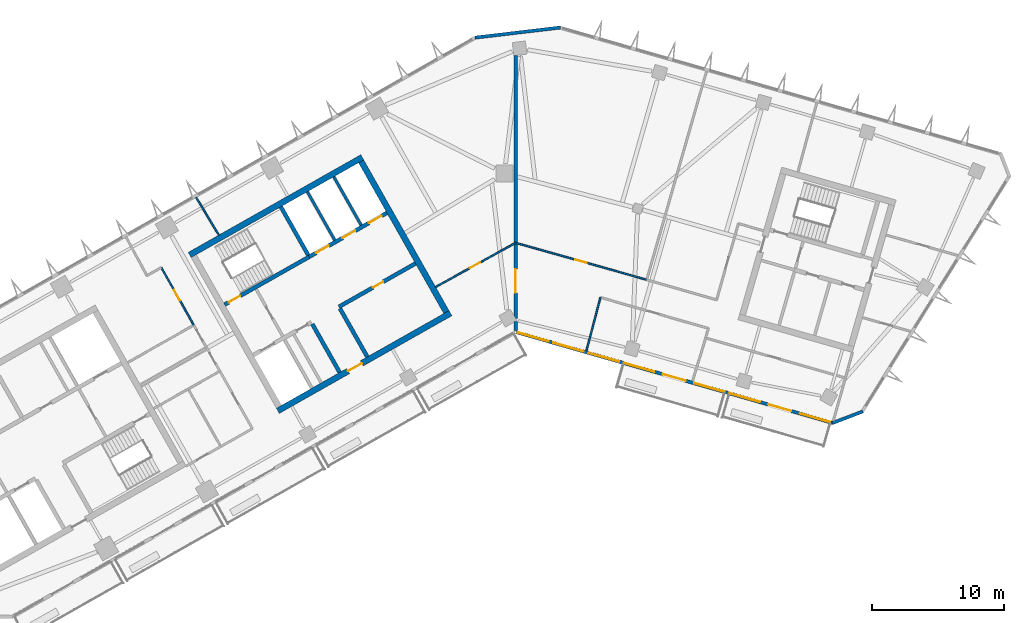
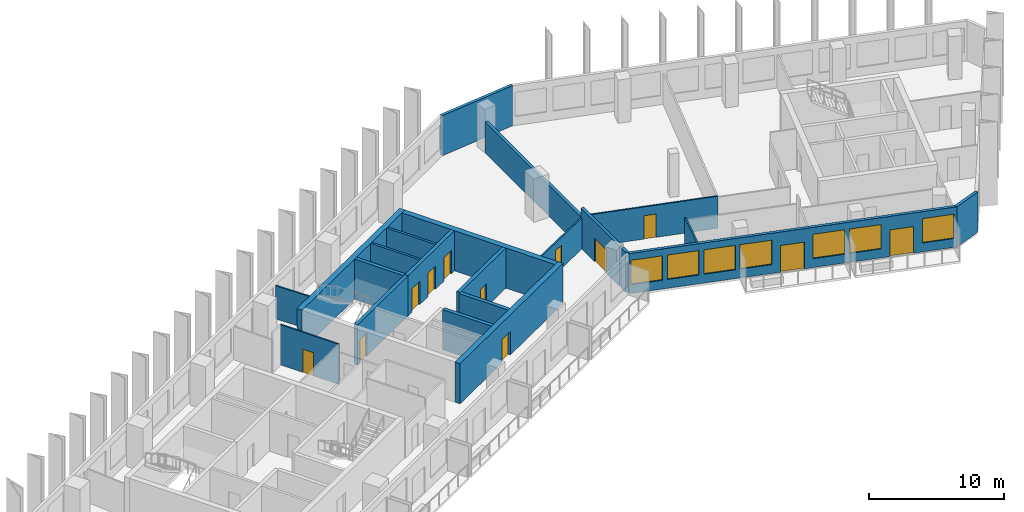
# One storey, part 6 of 11: 22 walls, 12 doors, 7 windows, 19 openings.
"""IFC4 building model written with IfcOpenShell, lengths in metres."""

from ifc_helpers import new_model, si_unit, direction, frame, frame_2d, origin, place, context, subcontext, project, spatial, rectangle, extrude, material, layer, layer_set, type_object, element, fill, save


model = new_model("IFC4")

# Units and contexts
model_context = context("Model", 3, precision=1e-05, world=origin(), true_north=direction((0.0, 1.0)))
body_context = subcontext(model_context, "Body", "Model", "MODEL_VIEW")
ifc_project = project(units=[si_unit("LENGTHUNIT", "METRE"), si_unit("AREAUNIT", "SQUARE_METRE"), si_unit("VOLUMEUNIT", "CUBIC_METRE"), si_unit("PLANEANGLEUNIT", "RADIAN"), si_unit("MASSUNIT", "GRAM", prefix="KILO")], contexts=[model_context])

# Site, building, storey
site_placement = place(None, origin())
site = spatial("IfcSite", under=ifc_project, at=site_placement, CompositionType="ELEMENT")
building_placement = place(site_placement, origin())
building = spatial("IfcBuilding", under=site, at=building_placement, Name="Binnacle Exchange Tower", CompositionType="ELEMENT")
storey_placement = place(building_placement, frame((0.0, 0.0, 207.5)))
storey = spatial("IfcBuildingStorey", under=building, at=storey_placement, Name="L45", CompositionType="ELEMENT", Elevation=207.5)

# Wall, opening, door
ifc_material_1 = material(Name="Concrete C70/85", Category="concrete")
ifc_layer_1 = layer(ifc_material_1, 0.300048828125)
ifc_layer_set_1 = layer_set([ifc_layer_1], Name="Core wall - front 300")
wall_type_1 = type_object("IfcWallType", Name="Core wall - front 300", PredefinedType="SOLIDWALL", material=ifc_layer_set_1)
wall_1_placement = place(storey_placement, frame((-13.364501953125, 49.910888671875, 0.0), z_axis=(0.0, 0.0, 1.0), x_axis=(0.870352159619, 0.492429810477, 0.0)))
wall_1 = element("IfcWall", 1, at=wall_1_placement, inside=storey, type_object=wall_type_1, Name="Core wall CRWC3", PredefinedType="SOLIDWALL", context=body_context, shape_type="SweptSolid", body=[
    extrude(rectangle(XDim=6.64990234375, YDim=0.300048828125, at=frame_2d((3.324951171875, 0.0))), origin(), (0.0, 0.0, 1.0), 3.6201171875),
])
opening_1_placement = place(wall_1_placement, frame((2.949951171875, 0.0, 0.0)))
opening_1 = element("IfcOpeningElement", 2, at=opening_1_placement, cuts=wall_1, Name="Opening DC18", PredefinedType="OPENING", context=body_context, shape_type="SweptSolid", body=[
    extrude(rectangle(XDim=0.89990234375, YDim=2.10009765625, at=frame_2d((0.449951171875, 1.050048828125))), frame((0.0, 0.159912109375, 0.0), z_axis=(0.0, -1.0, 0.0), x_axis=(1.0, 0.0, 0.0)), (0.0, 0.0, 1.0), 0.320068359375),
])
ifc_material_2 = material(Name="Steel door leaf", Category="steel")
door_type_1 = type_object("IfcDoorType", Name="Fire door 900", OperationType="NOTDEFINED", PredefinedType="DOOR", material=ifc_material_2)
door_1_placement = place(opening_1_placement, frame((0.89990234375, 0.0, 0.0), z_axis=(0.0, 0.0, 1.0), x_axis=(-1.0, 0.0, 0.0)))
door_1 = element("IfcDoor", 3, at=door_1_placement, inside=storey, type_object=door_type_1, Name="Core room door WORKSHOP STORE", OperationType="SINGLE_SWING_LEFT", OverallHeight=2.10009765625, OverallWidth=0.89990234375, PredefinedType="DOOR", context=body_context, shape_type="SweptSolid", body=[
    extrude(rectangle(XDim=0.89990234375, YDim=2.10009765625, at=frame_2d((0.449951171875, 1.050048828125))), frame((0.0, 0.02490234375, 0.0), z_axis=(0.0, -1.0, 0.0), x_axis=(1.0, 0.0, 0.0)), (0.0, 0.0, 1.0), 0.050048828125),
])
fill(opening_1, door_1)

# Wall, openings, doors
wall_2_placement = place(storey_placement, frame((-15.6181640625, 53.69140625, 0.0), z_axis=(0.0, 0.0, 1.0), x_axis=(0.870358646884, 0.492418344291, 0.0)))
wall_2 = element("IfcWall", 4, at=wall_2_placement, inside=storey, type_object=wall_type_1, Name="Core wall CRWC5", PredefinedType="SOLIDWALL", context=body_context, shape_type="SweptSolid", body=[
    extrude(rectangle(XDim=6.749755859375, YDim=0.300048828125, at=frame_2d((3.375, 0.0))), origin(), (0.0, 0.0, 1.0), 3.6201171875),
])
opening_2_placement = place(wall_2_placement, frame((0.60009765625, 0.0, 0.0)))
opening_2 = element("IfcOpeningElement", 5, at=opening_2_placement, cuts=wall_2, Name="Opening LD5", PredefinedType="OPENING", context=body_context, shape_type="SweptSolid", body=[
    extrude(rectangle(XDim=1.10009765625, YDim=2.10009765625, at=frame_2d((0.550048828125, 1.050048828125))), frame((0.0, 0.159912109375, 0.0), z_axis=(0.0, -1.0, 0.0), x_axis=(1.0, 0.0, 0.0)), (0.0, 0.0, 1.0), 0.320068359375),
])
opening_3_placement = place(wall_2_placement, frame((2.89990234375, 0.0, 0.0)))
opening_3 = element("IfcOpeningElement", 6, at=opening_3_placement, cuts=wall_2, Name="Opening LD6", PredefinedType="OPENING", context=body_context, shape_type="SweptSolid", body=[
    extrude(rectangle(XDim=1.10009765625, YDim=2.10009765625, at=frame_2d((0.550048828125, 1.050048828125))), frame((0.0, 0.159912109375, 0.0), z_axis=(0.0, -1.0, 0.0), x_axis=(1.0, 0.0, 0.0)), (0.0, 0.0, 1.0), 0.320068359375),
])
opening_4_placement = place(wall_2_placement, frame((5.199951171875, 0.0, 0.0)))
opening_4 = element("IfcOpeningElement", 7, at=opening_4_placement, cuts=wall_2, Name="Opening LD7", PredefinedType="OPENING", context=body_context, shape_type="SweptSolid", body=[
    extrude(rectangle(XDim=1.10009765625, YDim=2.10009765625, at=frame_2d((0.550048828125, 1.050048828125))), frame((0.0, 0.159912109375, 0.0), z_axis=(0.0, -1.0, 0.0), x_axis=(1.0, 0.0, 0.0)), (0.0, 0.0, 1.0), 0.320068359375),
])
door_type_2 = type_object("IfcDoorType", Name="Fire door - lift landing 1100", OperationType="NOTDEFINED", PredefinedType="DOOR", material=ifc_material_2)
door_2_placement = place(opening_2_placement, origin())
door_2 = element("IfcDoor", 8, at=door_2_placement, inside=storey, type_object=door_type_2, Name="Landing door LD5 L45", OperationType="DOUBLE_DOOR_SLIDING", OverallHeight=2.10009765625, OverallWidth=1.10009765625, PredefinedType="DOOR", context=body_context, shape_type="SweptSolid", body=[
    extrude(rectangle(XDim=1.10009765625, YDim=2.10009765625, at=frame_2d((0.550048828125, 1.050048828125))), frame((0.0, 0.02490234375, 0.0), z_axis=(0.0, -1.0, 0.0), x_axis=(1.0, 0.0, 0.0)), (0.0, 0.0, 1.0), 0.050048828125),
])
fill(opening_2, door_2)
door_3_placement = place(opening_3_placement, origin())
door_3 = element("IfcDoor", 9, at=door_3_placement, inside=storey, type_object=door_type_2, Name="Landing door LD6 L45", OperationType="DOUBLE_DOOR_SLIDING", OverallHeight=2.10009765625, OverallWidth=1.10009765625, PredefinedType="DOOR", context=body_context, shape_type="SweptSolid", body=[
    extrude(rectangle(XDim=1.10009765625, YDim=2.10009765625, at=frame_2d((0.550048828125, 1.050048828125))), frame((0.0, 0.02490234375, 0.0), z_axis=(0.0, -1.0, 0.0), x_axis=(1.0, 0.0, 0.0)), (0.0, 0.0, 1.0), 0.050048828125),
])
fill(opening_3, door_3)
door_4_placement = place(opening_4_placement, origin())
door_4 = element("IfcDoor", 10, at=door_4_placement, inside=storey, type_object=door_type_2, Name="Landing door LD7 L45", OperationType="DOUBLE_DOOR_SLIDING", OverallHeight=2.10009765625, OverallWidth=1.10009765625, PredefinedType="DOOR", context=body_context, shape_type="SweptSolid", body=[
    extrude(rectangle(XDim=1.10009765625, YDim=2.10009765625, at=frame_2d((0.550048828125, 1.050048828125))), frame((0.0, 0.02490234375, 0.0), z_axis=(0.0, -1.0, 0.0), x_axis=(1.0, 0.0, 0.0)), (0.0, 0.0, 1.0), 0.050048828125),
])
fill(opening_4, door_4)

# Walls
for number, where, z_axis, x_axis, name in (
    (11, (-15.37939453125, 48.5986328125, 0.0), (0.0, 0.0, 1.0), (0.492409653846, -0.870363563575, 0.0), "Core wall CRWC13"),
    (12, (-13.29052734375, 49.780517578125, 0.0), (0.0, 0.0, 1.0), (0.492409653846, -0.870363563575, 0.0), "Core wall CRWC15"),
):
    element("IfcWall", number, at=place(storey_placement, frame(where, z_axis=z_axis, x_axis=x_axis)), inside=storey, type_object=wall_type_1, Name=name, PredefinedType="SOLIDWALL", context=body_context, shape_type="SweptSolid", body=[
        extrude(rectangle(XDim=4.199951171875, YDim=0.300048828125, at=frame_2d((2.10009765625, 0.0))), origin(), (0.0, 0.0, 1.0), 3.6201171875),
    ])

# Wall, opening, door
ifc_layer_2 = layer(ifc_material_1, 0.449951171875)
ifc_layer_set_2 = layer_set([ifc_layer_2], Name="Core wall - outer 450")
wall_type_2 = type_object("IfcWallType", Name="Core wall - outer 450", PredefinedType="SOLIDWALL", material=ifc_layer_set_2)
wall_3_placement = place(storey_placement, frame((-17.987548828125, 42.0390625, 0.0), z_axis=(0.0, 0.0, 1.0), x_axis=(0.870360574057, 0.492414937962, 0.0)))
wall_3 = element("IfcWall", 13, at=wall_3_placement, inside=storey, type_object=wall_type_2, Name="Core wall CRWC1", PredefinedType="SOLIDWALL", context=body_context, shape_type="SweptSolid", body=[
    extrude(rectangle(XDim=15.0, YDim=0.449951171875, at=frame_2d((7.5, 0.0))), origin(), (0.0, 0.0, 1.0), 3.6201171875),
])
opening_5_placement = place(wall_3_placement, frame((6.10009765625, 0.0, 0.0)))
opening_5 = element("IfcOpeningElement", 14, at=opening_5_placement, cuts=wall_3, Name="Opening DC7", PredefinedType="OPENING", context=body_context, shape_type="SweptSolid", body=[
    extrude(rectangle(XDim=1.199951171875, YDim=2.10009765625, at=frame_2d((0.60009765625, 1.050048828125))), frame((0.0, 0.23486328125, 0.0), z_axis=(0.0, -1.0, 0.0), x_axis=(1.0, 0.0, 0.0)), (0.0, 0.0, 1.0), 0.469970703125),
])
door_type_3 = type_object("IfcDoorType", Name="Fire door 1200", OperationType="NOTDEFINED", PredefinedType="DOOR", material=ifc_material_2)
door_5_placement = place(opening_5_placement, frame((1.199951171875, 0.0, 0.0), z_axis=(0.0, 0.0, 1.0), x_axis=(-1.0, 0.0, 0.0)))
door_5 = element("IfcDoor", 15, at=door_5_placement, inside=storey, type_object=door_type_3, Name="Lift lobby entrance door core C", OperationType="SINGLE_SWING_RIGHT", OverallHeight=2.10009765625, OverallWidth=1.199951171875, PredefinedType="DOOR", context=body_context, shape_type="SweptSolid", body=[
    extrude(rectangle(XDim=1.199951171875, YDim=2.10009765625, at=frame_2d((0.60009765625, 1.050048828125))), frame((0.0, 0.02490234375, 0.0), z_axis=(0.0, -1.0, 0.0), x_axis=(1.0, 0.0, 0.0)), (0.0, 0.0, 1.0), 0.050048828125),
])
fill(opening_5, door_5)

# Walls
wall_4_placement = place(storey_placement, frame((-24.659912109375, 53.832275390625, 0.0), z_axis=(0.0, 0.0, 1.0), x_axis=(0.870353598469, 0.492427267353, 0.0)))
element("IfcWall", 16, at=wall_4_placement, inside=storey, type_object=wall_type_2, Name="Core wall CRWC6", PredefinedType="SOLIDWALL", context=body_context, shape_type="SweptSolid", body=[
    extrude(rectangle(XDim=15.000244140625, YDim=0.449951171875, at=frame_2d((7.5, 0.0))), origin(), (0.0, 0.0, 1.0), 3.6201171875),
])
wall_5_placement = place(storey_placement, frame((-11.689453125, 60.912109375, 0.0), z_axis=(0.0, 0.0, 1.0), x_axis=(0.492421378713, -0.870356930107, 0.0)))
element("IfcWall", 17, at=wall_5_placement, inside=storey, type_object=wall_type_2, Name="Core wall CRWC24", PredefinedType="SOLIDWALL", context=body_context, shape_type="SweptSolid", body=[
    extrude(rectangle(XDim=13.099853515625, YDim=0.449951171875, at=frame_2d((6.5498046875, 0.0))), origin(), (0.0, 0.0, 1.0), 3.6201171875),
])

# Wall, opening, door
ifc_layer_3 = layer(ifc_material_1, 0.300048828125)
ifc_layer_set_3 = layer_set([ifc_layer_3], Name="Core wall - stair 300")
wall_type_3 = type_object("IfcWallType", Name="Core wall - stair 300", PredefinedType="SOLIDWALL", material=ifc_layer_set_3)
wall_6_placement = place(storey_placement, frame((-22.015380859375, 50.072021484375, 0.0), z_axis=(0.0, 0.0, 1.0), x_axis=(0.870354900257, 0.492424966466, 0.0)))
wall_6 = element("IfcWall", 18, at=wall_6_placement, inside=storey, type_object=wall_type_3, Name="Core wall CRWC4", PredefinedType="SOLIDWALL", context=body_context, shape_type="SweptSolid", body=[
    extrude(rectangle(XDim=7.35009765625, YDim=0.300048828125, at=frame_2d((3.675048828125, 0.0))), origin(), (0.0, 0.0, 1.0), 3.6201171875),
])
opening_6_placement = place(wall_6_placement, frame((0.35009765625, 0.0, 0.0)))
opening_6 = element("IfcOpeningElement", 19, at=opening_6_placement, cuts=wall_6, Name="Opening DC1", PredefinedType="OPENING", context=body_context, shape_type="SweptSolid", body=[
    extrude(rectangle(XDim=1.0, YDim=2.10009765625, at=frame_2d((0.5, 1.050048828125))), frame((0.0, 0.159912109375, 0.0), z_axis=(0.0, -1.0, 0.0), x_axis=(1.0, 0.0, 0.0)), (0.0, 0.0, 1.0), 0.320068359375),
])
door_type_4 = type_object("IfcDoorType", Name="Fire door 1000", OperationType="NOTDEFINED", PredefinedType="DOOR", material=ifc_material_2)
door_6_placement = place(opening_6_placement, origin())
door_6 = element("IfcDoor", 20, at=door_6_placement, inside=storey, type_object=door_type_4, Name="Stair door ST-C1", OperationType="SINGLE_SWING_LEFT", OverallHeight=2.10009765625, OverallWidth=1.0, PredefinedType="DOOR", context=body_context, shape_type="SweptSolid", body=[
    extrude(rectangle(XDim=1.0, YDim=2.10009765625, at=frame_2d((0.5, 1.050048828125))), frame((0.0, 0.02490234375, 0.0), z_axis=(0.0, -1.0, 0.0), x_axis=(1.0, 0.0, 0.0)), (0.0, 0.0, 1.0), 0.050048828125),
])
fill(opening_6, door_6)

# Wall
wall_7_placement = place(storey_placement, frame((-17.76025390625, 57.477294921875, 0.0), z_axis=(0.0, 0.0, 1.0), x_axis=(0.49243456751, -0.870349468157, 0.0)))
element("IfcWall", 21, at=wall_7_placement, inside=storey, type_object=wall_type_3, Name="Core wall CRWC14", PredefinedType="SOLIDWALL", context=body_context, shape_type="SweptSolid", body=[
    extrude(rectangle(XDim=4.19970703125, YDim=0.300048828125, at=frame_2d((2.099853515625, 0.0))), origin(), (0.0, 0.0, 1.0), 3.6201171875),
])

# Wall, openings, doors, windows
ifc_material_3 = material(Name="Bronze aluminium cladding", Category="aluminium")
ifc_layer_4 = layer(ifc_material_3, 0.25)
ifc_layer_set_4 = layer_set([ifc_layer_4], Name="External wall - window wall 250")
wall_type_4 = type_object("IfcWallType", Name="External wall - window wall 250", PredefinedType="STANDARD", material=ifc_layer_set_4)
wall_8_placement = place(storey_placement, frame((24.034423828125, 41.108154296875, 0.0), z_axis=(0.0, 0.0, 1.0), x_axis=(-0.96126060691, 0.275641153683, 0.0)))
wall_8 = element("IfcWall", 22, at=wall_8_placement, inside=storey, type_object=wall_type_4, Name="External wall EW-G02 L45", PredefinedType="STANDARD", context=body_context, shape_type="SweptSolid", body=[
    extrude(rectangle(XDim=24.95068359375, YDim=0.25, at=frame_2d((12.475341796875, 0.0))), origin(), (0.0, 0.0, 1.0), 3.6201171875),
])
opening_7_placement = place(wall_8_placement, frame((22.416259765625, 0.0, 0.800048828125)))
opening_7 = element("IfcOpeningElement", 23, at=opening_7_placement, cuts=wall_8, Name="Opening WR1", PredefinedType="OPENING", context=body_context, shape_type="SweptSolid", body=[
    extrude(rectangle(XDim=2.39990234375, YDim=2.199951171875, at=frame_2d((1.199951171875, 1.10009765625))), frame((0.0, 0.135009765625, 0.0), z_axis=(0.0, -1.0, 0.0), x_axis=(1.0, 0.0, 0.0)), (0.0, 0.0, 1.0), 0.27001953125),
])
opening_8_placement = place(wall_8_placement, frame((19.642822265625, 0.0, 0.800048828125)))
opening_8 = element("IfcOpeningElement", 24, at=opening_8_placement, cuts=wall_8, Name="Opening WR1", PredefinedType="OPENING", context=body_context, shape_type="SweptSolid", body=[
    extrude(rectangle(XDim=2.39990234375, YDim=2.199951171875, at=frame_2d((1.199951171875, 1.10009765625))), frame((0.0, 0.135009765625, 0.0), z_axis=(0.0, -1.0, 0.0), x_axis=(1.0, 0.0, 0.0)), (0.0, 0.0, 1.0), 0.27001953125),
])
opening_9_placement = place(wall_8_placement, frame((16.869384765625, 0.0, 0.800048828125)))
opening_9 = element("IfcOpeningElement", 25, at=opening_9_placement, cuts=wall_8, Name="Opening WR1", PredefinedType="OPENING", context=body_context, shape_type="SweptSolid", body=[
    extrude(rectangle(XDim=2.39990234375, YDim=2.199951171875, at=frame_2d((1.199951171875, 1.10009765625))), frame((0.0, 0.135009765625, 0.0), z_axis=(0.0, -1.0, 0.0), x_axis=(1.0, 0.0, 0.0)), (0.0, 0.0, 1.0), 0.27001953125),
])
opening_10_placement = place(wall_8_placement, frame((14.095947265625, 0.0, 0.800048828125)))
opening_10 = element("IfcOpeningElement", 26, at=opening_10_placement, cuts=wall_8, Name="Opening WR1", PredefinedType="OPENING", context=body_context, shape_type="SweptSolid", body=[
    extrude(rectangle(XDim=2.39990234375, YDim=2.199951171875, at=frame_2d((1.199951171875, 1.10009765625))), frame((0.0, 0.135009765625, 0.0), z_axis=(0.0, -1.0, 0.0), x_axis=(1.0, 0.0, 0.0)), (0.0, 0.0, 1.0), 0.27001953125),
])
opening_11_placement = place(wall_8_placement, frame((11.622314453125, 0.0, 0.0)))
opening_11 = element("IfcOpeningElement", 27, at=opening_11_placement, cuts=wall_8, Name="Opening D-FS13-06", PredefinedType="OPENING", context=body_context, shape_type="SweptSolid", body=[
    extrude(rectangle(XDim=1.800048828125, YDim=2.39990234375, at=frame_2d((0.89990234375, 1.199951171875))), frame((0.0, 0.135009765625, 0.0), z_axis=(0.0, -1.0, 0.0), x_axis=(1.0, 0.0, 0.0)), (0.0, 0.0, 1.0), 0.27001953125),
])
opening_12_placement = place(wall_8_placement, frame((8.548828125, 0.0, 0.800048828125)))
opening_12 = element("IfcOpeningElement", 28, at=opening_12_placement, cuts=wall_8, Name="Opening WR1", PredefinedType="OPENING", context=body_context, shape_type="SweptSolid", body=[
    extrude(rectangle(XDim=2.39990234375, YDim=2.199951171875, at=frame_2d((1.199951171875, 1.10009765625))), frame((0.0, 0.135009765625, 0.0), z_axis=(0.0, -1.0, 0.0), x_axis=(1.0, 0.0, 0.0)), (0.0, 0.0, 1.0), 0.27001953125),
])
opening_13_placement = place(wall_8_placement, frame((5.775390625, 0.0, 0.800048828125)))
opening_13 = element("IfcOpeningElement", 29, at=opening_13_placement, cuts=wall_8, Name="Opening WR1", PredefinedType="OPENING", context=body_context, shape_type="SweptSolid", body=[
    extrude(rectangle(XDim=2.39990234375, YDim=2.199951171875, at=frame_2d((1.199951171875, 1.10009765625))), frame((0.0, 0.135009765625, 0.0), z_axis=(0.0, -1.0, 0.0), x_axis=(1.0, 0.0, 0.0)), (0.0, 0.0, 1.0), 0.27001953125),
])
opening_14_placement = place(wall_8_placement, frame((3.302001953125, 0.0, 0.0)))
opening_14 = element("IfcOpeningElement", 30, at=opening_14_placement, cuts=wall_8, Name="Opening D-FS13-07", PredefinedType="OPENING", context=body_context, shape_type="SweptSolid", body=[
    extrude(rectangle(XDim=1.800048828125, YDim=2.39990234375, at=frame_2d((0.89990234375, 1.199951171875))), frame((0.0, 0.135009765625, 0.0), z_axis=(0.0, -1.0, 0.0), x_axis=(1.0, 0.0, 0.0)), (0.0, 0.0, 1.0), 0.27001953125),
])
opening_15_placement = place(wall_8_placement, frame((0.228515625, 0.0, 0.800048828125)))
opening_15 = element("IfcOpeningElement", 31, at=opening_15_placement, cuts=wall_8, Name="Opening WR1", PredefinedType="OPENING", context=body_context, shape_type="SweptSolid", body=[
    extrude(rectangle(XDim=2.39990234375, YDim=2.199951171875, at=frame_2d((1.199951171875, 1.10009765625))), frame((0.0, 0.135009765625, 0.0), z_axis=(0.0, -1.0, 0.0), x_axis=(1.0, 0.0, 0.0)), (0.0, 0.0, 1.0), 0.27001953125),
])
ifc_material_4 = material(Name="Bronze anodised aluminium frame", Category="aluminium")
door_type_5 = type_object("IfcDoorType", Name="DB DOOR 1800x2400", OperationType="DOUBLE_DOOR_SINGLE_SWING", PredefinedType="DOOR", material=ifc_material_4)
door_7_placement = place(opening_11_placement, origin())
door_7 = element("IfcDoor", 32, at=door_7_placement, inside=storey, type_object=door_type_5, Name="Door D-FS13-06 L45", OperationType="DOUBLE_DOOR_SINGLE_SWING", OverallHeight=2.39990234375, OverallWidth=1.800048828125, PredefinedType="DOOR", context=body_context, shape_type="SweptSolid", body=[
    extrude(rectangle(XDim=1.800048828125, YDim=2.39990234375, at=frame_2d((0.89990234375, 1.199951171875))), frame((0.0, 0.02490234375, 0.0), z_axis=(0.0, -1.0, 0.0), x_axis=(1.0, 0.0, 0.0)), (0.0, 0.0, 1.0), 0.050048828125),
])
fill(opening_11, door_7)
door_8_placement = place(opening_14_placement, origin())
door_8 = element("IfcDoor", 33, at=door_8_placement, inside=storey, type_object=door_type_5, Name="Door D-FS13-07 L45", OperationType="DOUBLE_DOOR_SINGLE_SWING", OverallHeight=2.39990234375, OverallWidth=1.800048828125, PredefinedType="DOOR", context=body_context, shape_type="SweptSolid", body=[
    extrude(rectangle(XDim=1.800048828125, YDim=2.39990234375, at=frame_2d((0.89990234375, 1.199951171875))), frame((0.0, 0.02490234375, 0.0), z_axis=(0.0, -1.0, 0.0), x_axis=(1.0, 0.0, 0.0)), (0.0, 0.0, 1.0), 0.050048828125),
])
fill(opening_14, door_8)
window_type = type_object("IfcWindowType", Name="WR1 WINDOW 2400x2200", PartitioningType="SINGLE_PANEL", PredefinedType="WINDOW", material=ifc_material_4)
window_1_placement = place(opening_7_placement, origin())
window_1 = element("IfcWindow", 34, at=window_1_placement, inside=storey, type_object=window_type, Name="Window WR1 L45", OverallHeight=2.199951171875, OverallWidth=2.39990234375, PartitioningType="SINGLE_PANEL", PredefinedType="WINDOW", context=body_context, shape_type="SweptSolid", body=[
    extrude(rectangle(XDim=2.39990234375, YDim=2.199951171875, at=frame_2d((1.199951171875, 1.10009765625))), frame((0.0, 0.030029296875, 0.0), z_axis=(0.0, -1.0, 0.0), x_axis=(1.0, 0.0, 0.0)), (0.0, 0.0, 1.0), 0.06005859375),
])
fill(opening_7, window_1)
window_2_placement = place(opening_8_placement, origin())
window_2 = element("IfcWindow", 35, at=window_2_placement, inside=storey, type_object=window_type, Name="Window WR1 L45", OverallHeight=2.199951171875, OverallWidth=2.39990234375, PartitioningType="SINGLE_PANEL", PredefinedType="WINDOW", context=body_context, shape_type="SweptSolid", body=[
    extrude(rectangle(XDim=2.39990234375, YDim=2.199951171875, at=frame_2d((1.199951171875, 1.10009765625))), frame((0.0, 0.030029296875, 0.0), z_axis=(0.0, -1.0, 0.0), x_axis=(1.0, 0.0, 0.0)), (0.0, 0.0, 1.0), 0.06005859375),
])
fill(opening_8, window_2)
window_3_placement = place(opening_9_placement, origin())
window_3 = element("IfcWindow", 36, at=window_3_placement, inside=storey, type_object=window_type, Name="Window WR1 L45", OverallHeight=2.199951171875, OverallWidth=2.39990234375, PartitioningType="SINGLE_PANEL", PredefinedType="WINDOW", context=body_context, shape_type="SweptSolid", body=[
    extrude(rectangle(XDim=2.39990234375, YDim=2.199951171875, at=frame_2d((1.199951171875, 1.10009765625))), frame((0.0, 0.030029296875, 0.0), z_axis=(0.0, -1.0, 0.0), x_axis=(1.0, 0.0, 0.0)), (0.0, 0.0, 1.0), 0.06005859375),
])
fill(opening_9, window_3)
window_4_placement = place(opening_10_placement, origin())
window_4 = element("IfcWindow", 37, at=window_4_placement, inside=storey, type_object=window_type, Name="Window WR1 L45", OverallHeight=2.199951171875, OverallWidth=2.39990234375, PartitioningType="SINGLE_PANEL", PredefinedType="WINDOW", context=body_context, shape_type="SweptSolid", body=[
    extrude(rectangle(XDim=2.39990234375, YDim=2.199951171875, at=frame_2d((1.199951171875, 1.10009765625))), frame((0.0, 0.030029296875, 0.0), z_axis=(0.0, -1.0, 0.0), x_axis=(1.0, 0.0, 0.0)), (0.0, 0.0, 1.0), 0.06005859375),
])
fill(opening_10, window_4)
window_5_placement = place(opening_12_placement, origin())
window_5 = element("IfcWindow", 38, at=window_5_placement, inside=storey, type_object=window_type, Name="Window WR1 L45", OverallHeight=2.199951171875, OverallWidth=2.39990234375, PartitioningType="SINGLE_PANEL", PredefinedType="WINDOW", context=body_context, shape_type="SweptSolid", body=[
    extrude(rectangle(XDim=2.39990234375, YDim=2.199951171875, at=frame_2d((1.199951171875, 1.10009765625))), frame((0.0, 0.030029296875, 0.0), z_axis=(0.0, -1.0, 0.0), x_axis=(1.0, 0.0, 0.0)), (0.0, 0.0, 1.0), 0.06005859375),
])
fill(opening_12, window_5)
window_6_placement = place(opening_13_placement, origin())
window_6 = element("IfcWindow", 39, at=window_6_placement, inside=storey, type_object=window_type, Name="Window WR1 L45", OverallHeight=2.199951171875, OverallWidth=2.39990234375, PartitioningType="SINGLE_PANEL", PredefinedType="WINDOW", context=body_context, shape_type="SweptSolid", body=[
    extrude(rectangle(XDim=2.39990234375, YDim=2.199951171875, at=frame_2d((1.199951171875, 1.10009765625))), frame((0.0, 0.030029296875, 0.0), z_axis=(0.0, -1.0, 0.0), x_axis=(1.0, 0.0, 0.0)), (0.0, 0.0, 1.0), 0.06005859375),
])
fill(opening_13, window_6)
window_7_placement = place(opening_15_placement, origin())
window_7 = element("IfcWindow", 40, at=window_7_placement, inside=storey, type_object=window_type, Name="Window WR1 L45", OverallHeight=2.199951171875, OverallWidth=2.39990234375, PartitioningType="SINGLE_PANEL", PredefinedType="WINDOW", context=body_context, shape_type="SweptSolid", body=[
    extrude(rectangle(XDim=2.39990234375, YDim=2.199951171875, at=frame_2d((1.199951171875, 1.10009765625))), frame((0.0, 0.030029296875, 0.0), z_axis=(0.0, -1.0, 0.0), x_axis=(1.0, 0.0, 0.0)), (0.0, 0.0, 1.0), 0.06005859375),
])
fill(opening_15, window_7)

# Walls
wall_9_placement = place(storey_placement, frame((26.27001953125, 41.993408203125, 0.0), z_axis=(0.0, 0.0, 1.0), x_axis=(-0.933573798066, -0.358385216722, 0.0)))
element("IfcWall", 41, at=wall_9_placement, inside=storey, type_object=wall_type_4, Name="External wall EW-G03 L45", PredefinedType="STANDARD", context=body_context, shape_type="SweptSolid", body=[
    extrude(rectangle(XDim=2.479736328125, YDim=0.25, at=frame_2d((1.23974609375, 0.0))), origin(), (0.0, 0.0, 1.0), 3.6201171875),
])
wall_10_placement = place(storey_placement, frame((-3.0712890625, 70.2734375, 0.0), z_axis=(0.0, 0.0, 1.0), x_axis=(0.993064524962, 0.11757061394, 0.0)))
element("IfcWall", 42, at=wall_10_placement, inside=storey, type_object=wall_type_4, Name="External wall EW-G07 L45", PredefinedType="STANDARD", context=body_context, shape_type="SweptSolid", body=[
    extrude(rectangle(XDim=6.505859375, YDim=0.25, at=frame_2d((3.2529296875, 0.0))), origin(), (0.0, 0.0, 1.0), 3.6201171875),
])
ifc_material_5 = material(Name="Concrete fire wall C30/37", Category="concrete")
ifc_layer_5 = layer(ifc_material_5, 0.25)
ifc_layer_set_5 = layer_set([ifc_layer_5], Name="Fire wall - compartment 250")
wall_type_5 = type_object("IfcWallType", Name="Fire wall - compartment 250", PredefinedType="PARTITIONING", material=ifc_layer_set_5)
wall_11_placement = place(storey_placement, frame((0.0, 48.1298828125, 0.0), z_axis=(0.0, 0.0, 1.0), x_axis=(0.0, 1.0, 0.0)))
element("IfcWall", 43, at=wall_11_placement, inside=storey, type_object=wall_type_5, Name="Fire Wall W18", PredefinedType="PARTITIONING", context=body_context, shape_type="SweptSolid", body=[
    extrude(rectangle(XDim=0.674072265625, YDim=0.25, at=frame_2d((0.3369140625, 0.0))), origin(), (0.0, 0.0, 1.0), 3.6201171875),
])

# Wall, opening, door
wall_12_placement = place(storey_placement, frame((0.0, 49.014892578125, 0.0), z_axis=(0.0, 0.0, 1.0), x_axis=(0.0, 1.0, 0.0)))
wall_12 = element("IfcWall", 44, at=wall_12_placement, inside=storey, type_object=wall_type_5, Name="Fire Wall W19", PredefinedType="PARTITIONING", context=body_context, shape_type="SweptSolid", body=[
    extrude(rectangle(XDim=5.735107421875, YDim=0.25, at=frame_2d((2.86767578125, 0.0))), origin(), (0.0, 0.0, 1.0), 3.6201171875),
])
opening_16_placement = place(wall_12_placement, frame((1.949951171875, 0.0, 0.0)))
opening_16 = element("IfcOpeningElement", 45, at=opening_16_placement, cuts=wall_12, Name="Opening DL45-14", PredefinedType="OPENING", context=body_context, shape_type="SweptSolid", body=[
    extrude(rectangle(XDim=1.800048828125, YDim=2.10009765625, at=frame_2d((0.89990234375, 1.050048828125))), frame((0.0, 0.135009765625, 0.0), z_axis=(0.0, -1.0, 0.0), x_axis=(1.0, 0.0, 0.0)), (0.0, 0.0, 1.0), 0.27001953125),
])
door_type_6 = type_object("IfcDoorType", Name="Fire door 1800", OperationType="NOTDEFINED", PredefinedType="DOOR", material=ifc_material_2)
door_9_placement = place(opening_16_placement, origin())
door_9 = element("IfcDoor", 46, at=door_9_placement, inside=storey, type_object=door_type_6, Name="Door DL45-14", OperationType="DOUBLE_DOOR_SINGLE_SWING", OverallHeight=2.10009765625, OverallWidth=1.800048828125, PredefinedType="DOOR", context=body_context, shape_type="SweptSolid", body=[
    extrude(rectangle(XDim=1.800048828125, YDim=2.10009765625, at=frame_2d((0.89990234375, 1.050048828125))), frame((0.0, 0.02490234375, 0.0), z_axis=(0.0, -1.0, 0.0), x_axis=(1.0, 0.0, 0.0)), (0.0, 0.0, 1.0), 0.050048828125),
])
fill(opening_16, door_9)

# Wall
wall_13_placement = place(storey_placement, frame((0.0, 54.75, 0.0), z_axis=(0.0, 0.0, 1.0), x_axis=(0.0, 1.0, 0.0)))
element("IfcWall", 47, at=wall_13_placement, inside=storey, type_object=wall_type_5, Name="Fire Wall W20", PredefinedType="PARTITIONING", context=body_context, shape_type="SweptSolid", body=[
    extrude(rectangle(XDim=14.175048828125, YDim=0.25, at=frame_2d((7.08740234375, 0.0))), origin(), (0.0, 0.0, 1.0), 2.800048828125),
])

# Wall, opening, door
ifc_material_6 = material(Name="Gypsum partition")
ifc_layer_6 = layer(ifc_material_6, 0.125)
ifc_layer_set_6 = layer_set([ifc_layer_6], Name="Partition 125")
wall_type_6 = type_object("IfcWallType", Name="Partition 125", PredefinedType="PARTITIONING", material=ifc_layer_set_6)
wall_14_placement = place(storey_placement, frame((-26.80810546875, 52.8759765625, 0.0), z_axis=(0.0, 0.0, 1.0), x_axis=(0.492406341242, -0.870365437678, 0.0)))
wall_14 = element("IfcWall", 48, at=wall_14_placement, inside=storey, type_object=wall_type_6, Name="Partition W08", PredefinedType="PARTITIONING", context=body_context, shape_type="SweptSolid", body=[
    extrude(rectangle(XDim=5.000244140625, YDim=0.125, at=frame_2d((2.5, 0.0))), origin(), (0.0, 0.0, 1.0), 3.6201171875),
])
opening_17_placement = place(wall_14_placement, frame((1.949951171875, 0.0, 0.0)))
opening_17 = element("IfcOpeningElement", 49, at=opening_17_placement, cuts=wall_14, Name="Opening DL45-02", PredefinedType="OPENING", context=body_context, shape_type="SweptSolid", body=[
    extrude(rectangle(XDim=0.89990234375, YDim=2.10009765625, at=frame_2d((0.449951171875, 1.050048828125))), frame((0.0, 0.072509765625, 0.0), z_axis=(0.0, -1.0, 0.0), x_axis=(1.0, 0.0, 0.0)), (0.0, 0.0, 1.0), 0.14501953125),
])
ifc_material_7 = material(Name="Timber door leaf", Category="wood")
door_type_7 = type_object("IfcDoorType", Name="Door 900", OperationType="NOTDEFINED", PredefinedType="DOOR", material=ifc_material_7)
door_10_placement = place(opening_17_placement, frame((0.89990234375, 0.0, 0.0), z_axis=(0.0, 0.0, 1.0), x_axis=(-1.0, 0.0, 0.0)))
door_10 = element("IfcDoor", 50, at=door_10_placement, inside=storey, type_object=door_type_7, Name="Door DL45-02", OperationType="SINGLE_SWING_RIGHT", OverallHeight=2.10009765625, OverallWidth=0.89990234375, PredefinedType="DOOR", context=body_context, shape_type="SweptSolid", body=[
    extrude(rectangle(XDim=0.89990234375, YDim=2.10009765625, at=frame_2d((0.449951171875, 1.050048828125))), frame((0.0, 0.02490234375, 0.0), z_axis=(0.0, -1.0, 0.0), x_axis=(1.0, 0.0, 0.0)), (0.0, 0.0, 1.0), 0.050048828125),
])
fill(opening_17, door_10)

# Wall
wall_15_placement = place(storey_placement, frame((-24.1708984375, 58.180908203125, 0.0), z_axis=(0.0, 0.0, 1.0), x_axis=(0.516494881882, -0.856290276127, 0.0)))
element("IfcWall", 51, at=wall_15_placement, inside=storey, type_object=wall_type_6, Name="Partition W13", PredefinedType="PARTITIONING", context=body_context, shape_type="SweptSolid", body=[
    extrude(rectangle(XDim=3.320068359375, YDim=0.125, at=frame_2d((1.66015625, 0.0))), origin(), (0.0, 0.0, 1.0), 2.988037109375),
])

# Wall, opening, door
wall_16_placement = place(storey_placement, frame((-6.052978515625, 51.405029296875, 0.0), z_axis=(0.0, 0.0, 1.0), x_axis=(0.875247434681, 0.483675436718, 0.0)))
wall_16 = element("IfcWall", 52, at=wall_16_placement, inside=storey, type_object=wall_type_6, Name="Partition W17", PredefinedType="PARTITIONING", context=body_context, shape_type="SweptSolid", body=[
    extrude(rectangle(XDim=6.915771484375, YDim=0.125, at=frame_2d((3.4580078125, 0.0))), origin(), (0.0, 0.0, 1.0), 2.800048828125),
])
opening_18_placement = place(wall_16_placement, frame((2.949951171875, 0.0, 0.0)))
opening_18 = element("IfcOpeningElement", 53, at=opening_18_placement, cuts=wall_16, Name="Opening DL45-07", PredefinedType="OPENING", context=body_context, shape_type="SweptSolid", body=[
    extrude(rectangle(XDim=0.89990234375, YDim=2.10009765625, at=frame_2d((0.449951171875, 1.050048828125))), frame((0.0, 0.072509765625, 0.0), z_axis=(0.0, -1.0, 0.0), x_axis=(1.0, 0.0, 0.0)), (0.0, 0.0, 1.0), 0.14501953125),
])
door_11_placement = place(opening_18_placement, origin())
door_11 = element("IfcDoor", 54, at=door_11_placement, inside=storey, type_object=door_type_7, Name="Door DL45-07", OperationType="SINGLE_SWING_LEFT", OverallHeight=2.10009765625, OverallWidth=0.89990234375, PredefinedType="DOOR", context=body_context, shape_type="SweptSolid", body=[
    extrude(rectangle(XDim=0.89990234375, YDim=2.10009765625, at=frame_2d((0.449951171875, 1.050048828125))), frame((0.0, 0.02490234375, 0.0), z_axis=(0.0, -1.0, 0.0), x_axis=(1.0, 0.0, 0.0)), (0.0, 0.0, 1.0), 0.050048828125),
])
fill(opening_18, door_11)

wall_17_placement = place(storey_placement, frame((0.0, 54.75, 0.0), z_axis=(0.0, 0.0, 1.0), x_axis=(0.962504897093, -0.271264304823, 0.0)))
wall_17 = element("IfcWall", 55, at=wall_17_placement, inside=storey, type_object=wall_type_6, Name="Partition W21", PredefinedType="PARTITIONING", context=body_context, shape_type="SweptSolid", body=[
    extrude(rectangle(XDim=10.30322265625, YDim=0.125, at=frame_2d((5.151611328125, 0.0))), origin(), (0.0, 0.0, 1.0), 2.89990234375),
])
opening_19_placement = place(wall_17_placement, frame((4.699951171875, 0.0, 0.0)))
opening_19 = element("IfcOpeningElement", 56, at=opening_19_placement, cuts=wall_17, Name="Opening DL45-08", PredefinedType="OPENING", context=body_context, shape_type="SweptSolid", body=[
    extrude(rectangle(XDim=0.89990234375, YDim=2.10009765625, at=frame_2d((0.449951171875, 1.050048828125))), frame((0.0, 0.072509765625, 0.0), z_axis=(0.0, -1.0, 0.0), x_axis=(1.0, 0.0, 0.0)), (0.0, 0.0, 1.0), 0.14501953125),
])
door_12_placement = place(opening_19_placement, origin())
door_12 = element("IfcDoor", 57, at=door_12_placement, inside=storey, type_object=door_type_7, Name="Door DL45-08", OperationType="SINGLE_SWING_LEFT", OverallHeight=2.10009765625, OverallWidth=0.89990234375, PredefinedType="DOOR", context=body_context, shape_type="SweptSolid", body=[
    extrude(rectangle(XDim=0.89990234375, YDim=2.10009765625, at=frame_2d((0.449951171875, 1.050048828125))), frame((0.0, 0.02490234375, 0.0), z_axis=(0.0, -1.0, 0.0), x_axis=(1.0, 0.0, 0.0)), (0.0, 0.0, 1.0), 0.050048828125),
])
fill(opening_19, door_12)

# Walls
wall_18_placement = place(storey_placement, frame((5.364013671875, 46.592041015625, 0.0), z_axis=(0.0, 0.0, 1.0), x_axis=(0.25210423577, 0.967700084895, 0.0)))
element("IfcWall", 58, at=wall_18_placement, inside=storey, type_object=wall_type_6, Name="Partition W22", PredefinedType="PARTITIONING", context=body_context, shape_type="SweptSolid", body=[
    extrude(rectangle(XDim=4.161376953125, YDim=0.125, at=frame_2d((2.08056640625, 0.0))), origin(), (0.0, 0.0, 1.0), 2.988037109375),
])
ifc_material_8 = material(Name="Masonry block wall", Category="masonry")
ifc_layer_7 = layer(ifc_material_8, 0.199951171875)
ifc_layer_set_7 = layer_set([ifc_layer_7], Name="Shaft wall 200")
wall_type_7 = type_object("IfcWallType", Name="Shaft wall 200", PredefinedType="SOLIDWALL", material=ifc_layer_set_7)
for number, where, z_axis, x_axis, name in (
    (59, (-15.75830078125, 58.60986328125, 0.0), (0.0, 0.0, 1.0), (0.492409653846, -0.870363563575, 0.0), "Core wall CRWC18"),
    (60, (-13.756591796875, 59.742431640625, 0.0), (0.0, 0.0, 1.0), (0.492409653846, -0.870363563575, 0.0), "Core wall CRWC21"),
):
    element("IfcWall", number, at=place(storey_placement, frame(where, z_axis=z_axis, x_axis=x_axis)), inside=storey, type_object=wall_type_7, Name=name, PredefinedType="SOLIDWALL", context=body_context, shape_type="SweptSolid", body=[
        extrude(rectangle(XDim=4.199951171875, YDim=0.199951171875, at=frame_2d((2.10009765625, 0.0))), origin(), (0.0, 0.0, 1.0), 3.6201171875),
    ])

save(model, "model.ifc")
